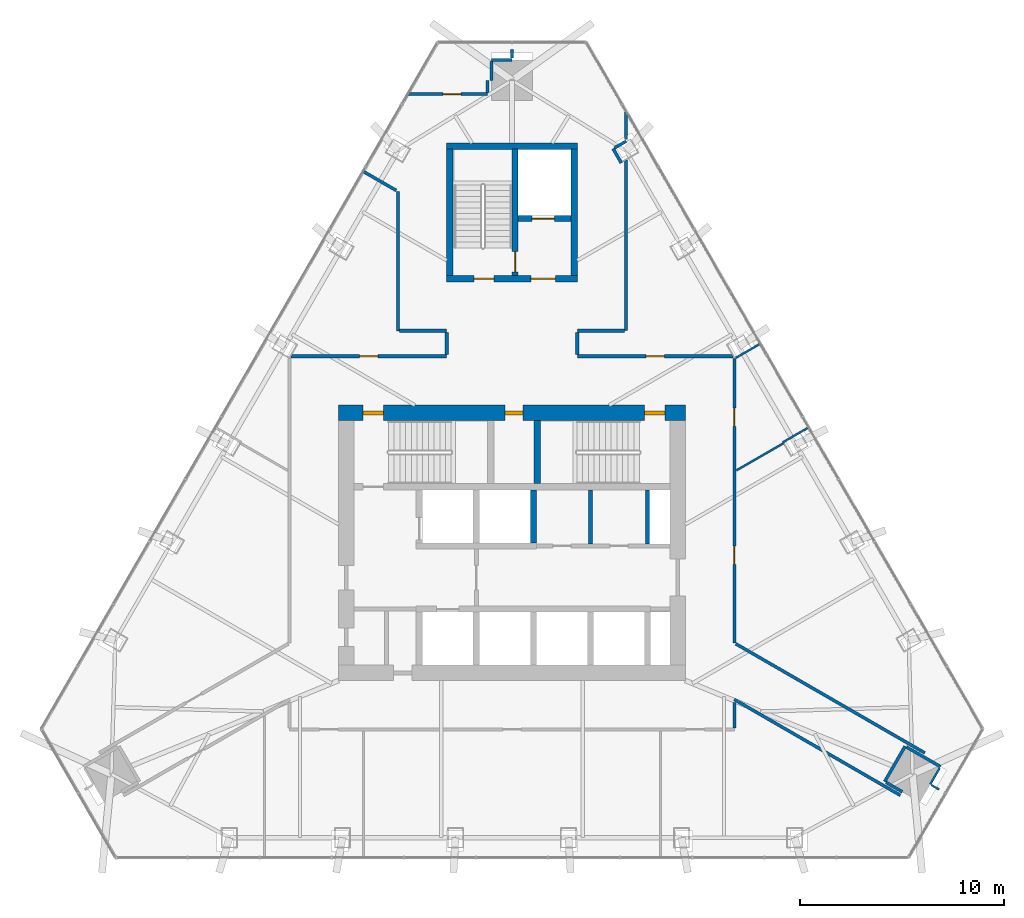
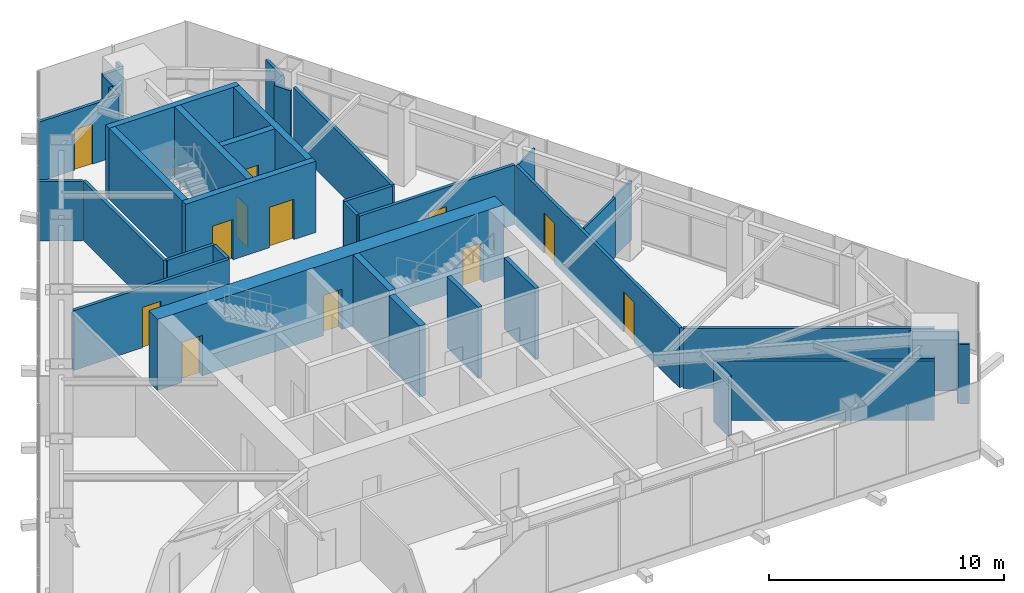
# One storey, part 12 of 14: 40 walls, 12 doors, 12 openings.
"""IFC4 building model written with IfcOpenShell, lengths in metres."""

import ifcopenshell
import ifcopenshell.guid

model = None  # the IFC model being written
_history = None  # IfcOwnerHistory: only IFC2X3 demands one
_inside = {}  # id of a spatial element -> (the spatial element, [elements in it])
_under = {}  # id of a project, library or spatial element -> (it, [spatial elements below it])
_declared = {}  # id of a project -> (the project, [libraries it declares])
_typed = {}  # id of a type object -> (the type object, [elements of that type])
_made_of = {}  # id of a material, layer set ... -> (it, [elements and type objects made of it])


def new_model(schema):
    """Start an empty IFC model of exactly this schema.

    Asked for "IFC4X3", IfcOpenShell would pick the latest addendum, in which some entities
    have other attributes; the version numbers below select the first issue.
    IFC2X3 requires an IfcOwnerHistory on every rooted entity: one is made here for all.
    """
    global model, _history
    if schema == "IFC4X3":
        model = ifcopenshell.file(schema_version=(4, 3, 0, 0))
    else:
        model = ifcopenshell.file(schema=schema)
    _inside.clear()
    _under.clear()
    _declared.clear()
    _typed.clear()
    _made_of.clear()
    _history = None
    if model.schema == "IFC2X3":
        org = make("IfcOrganization", Name="unknown")
        user = make(
            "IfcPersonAndOrganization",
            ThePerson=make("IfcPerson", FamilyName="unknown"),
            TheOrganization=org,
        )
        app = make(
            "IfcApplication",
            ApplicationDeveloper=org,
            Version="unknown",
            ApplicationFullName="unknown",
            ApplicationIdentifier="unknown",
        )
        _history = make(
            "IfcOwnerHistory",
            OwningUser=user,
            OwningApplication=app,
            ChangeAction="ADDED",
            CreationDate=0,
        )
    return model


def make(cls, **values):
    """One entity of the class cls with the attributes given. An attribute that is None is left unset."""
    return model.create_entity(
        cls, **{name: value for name, value in values.items() if value is not None}
    )


def rooted(cls, **values):
    """An entity with a GlobalId (a new one), such as an element, a storey or a relation."""
    return make(cls, GlobalId=ifcopenshell.guid.new(), OwnerHistory=_history, **values)


def si_unit(unit_type, name, prefix=None):
    """IfcSIUnit, for example si_unit("LENGTHUNIT", "METRE", prefix="MILLI")."""
    return make("IfcSIUnit", UnitType=unit_type, Prefix=prefix, Name=name)


def assignment(units):
    """IfcUnitAssignment: the units of a project."""
    return None if units is None else make("IfcUnitAssignment", Units=units)


def point(xyz):
    """IfcCartesianPoint."""
    return None if xyz is None else make("IfcCartesianPoint", Coordinates=xyz)


def direction(xyz):
    """IfcDirection."""
    return None if xyz is None else make("IfcDirection", DirectionRatios=xyz)


def frame(location, z_axis=None, x_axis=None):
    """IfcAxis2Placement3D, a coordinate frame: its origin and axes. An axis left out is left unset."""
    return make(
        "IfcAxis2Placement3D",
        Location=point(location),
        Axis=direction(z_axis),
        RefDirection=direction(x_axis),
    )


def frame_2d(location, x_axis=None):
    """IfcAxis2Placement2D, a coordinate frame in the plane: its origin and x axis."""
    return make(
        "IfcAxis2Placement2D", Location=point(location), RefDirection=direction(x_axis)
    )


def origin():
    """The frame at (0, 0, 0) with its axes left unset."""
    return frame((0.0, 0.0, 0.0))


def place(relative_to, where):
    """IfcLocalPlacement: puts the frame where relative to a parent placement (None: the world)."""
    return make(
        "IfcLocalPlacement", PlacementRelTo=relative_to, RelativePlacement=where
    )


def context(
    kind, dimensions, precision=None, world=None, true_north=None, identifier=None
):
    """IfcGeometricRepresentationContext, for example the 3D "Model" context."""
    return make(
        "IfcGeometricRepresentationContext",
        ContextIdentifier=identifier,
        ContextType=kind,
        CoordinateSpaceDimension=dimensions,
        Precision=precision,
        WorldCoordinateSystem=world,
        TrueNorth=true_north,
    )


def subcontext(parent, identifier, kind, view, scale=None):
    """IfcGeometricRepresentationSubContext, for example "Body" below "Model"."""
    return make(
        "IfcGeometricRepresentationSubContext",
        ContextIdentifier=identifier,
        ContextType=kind,
        ParentContext=parent,
        TargetScale=scale,
        TargetView=view,
    )


def project(units=None, contexts=None):
    """IfcProject with its units and contexts."""
    return rooted(
        "IfcProject",
        Name="project",
        RepresentationContexts=contexts,
        UnitsInContext=assignment(units),
    )


def spatial(cls, under=None, at=None, **own):
    """A site, building, storey or space (cls), placed at a placement, below another one or the project."""
    s = rooted(cls, ObjectPlacement=at, **own)
    if under is not None:
        _under.setdefault(under.id(), (under, []))[1].append(s)
    return s


def profile(cls, at=None, kind="AREA", **sizes):
    """A parametric profile (cls). Its sizes go by their IFC names, for example OverallWidth=200.0."""
    return make(cls, ProfileType=kind, Position=at, **sizes)


def rectangle(**sizes):
    """IfcRectangleProfileDef."""
    return profile("IfcRectangleProfileDef", **sizes)


def extrude(swept, where, along, depth):
    """IfcExtrudedAreaSolid: the profile swept, set in the frame where, extruded along a direction by depth."""
    return make(
        "IfcExtrudedAreaSolid",
        SweptArea=swept,
        Position=where,
        ExtrudedDirection=direction(along),
        Depth=depth,
    )


def shape(context_of_items, identifier, shape_type, items):
    """IfcShapeRepresentation: the items that make up one representation, for example the "Body"."""
    return make(
        "IfcShapeRepresentation",
        ContextOfItems=context_of_items,
        RepresentationIdentifier=identifier,
        RepresentationType=shape_type,
        Items=items,
    )


def material(Name=None, Category=None):
    """IfcMaterial."""
    return make("IfcMaterial", Name=Name, Category=Category)


def layer(
    of_material, thickness, ventilated=None, Name=None, Category=None, Priority=None
):
    """IfcMaterialLayer: one layer of a wall or slab, of a material (None: an air gap)."""
    return make(
        "IfcMaterialLayer",
        Material=of_material,
        LayerThickness=thickness,
        IsVentilated=ventilated,
        Name=Name,
        Category=Category,
        Priority=Priority,
    )


def layer_set(layers, Name=None):
    """IfcMaterialLayerSet."""
    return make("IfcMaterialLayerSet", MaterialLayers=layers, LayerSetName=Name)


def made_of(thing, what):
    """Note that an element or type object is made of a material, layer set ...; save() writes the relation."""
    if what is not None:
        _made_of.setdefault(what.id(), (what, []))[1].append(thing)
    return thing


def type_object(cls, material=None, **own):
    """A type object (cls), such as IfcWallType, which elements share."""
    return made_of(rooted(cls, **own), material)


def element(
    cls,
    number,
    at=None,
    inside=None,
    cuts=None,
    type_object=None,
    material=None,
    context=None,
    identifier="Body",
    shape_type=None,
    held_by="IfcProductDefinitionShape",
    body=None,
    shapes=None,
    **own,
):
    """One element of the class cls, such as IfcWall. Its Tag is "e" and its number.

    at: its placement. inside: the storey or other place that contains it. cuts: it is an
    opening in that element (IfcRelVoidsElement). A single representation is given by context,
    identifier, shape_type and body (its items); several are given by shapes. held_by: the class
    of the entity that holds the representations. save() writes the other relations.
    """
    e = rooted(cls, Tag="e%d" % number, ObjectPlacement=at, **own)
    if body is not None:
        shapes = [shape(context, identifier, shape_type, body)]
    if shapes is not None:
        e.Representation = make(held_by, Representations=shapes)
    if inside is not None:
        _inside.setdefault(inside.id(), (inside, []))[1].append(e)
    if cuts is not None:
        rooted(
            "IfcRelVoidsElement", RelatingBuildingElement=cuts, RelatedOpeningElement=e
        )
    if type_object is not None:
        _typed.setdefault(type_object.id(), (type_object, []))[1].append(e)
    return made_of(e, material)


def fill(opening, filler):
    """IfcRelFillsElement: the door or window that sits in an opening."""
    return rooted(
        "IfcRelFillsElement",
        RelatingOpeningElement=opening,
        RelatedBuildingElement=filler,
    )


def aggregate(whole, parts):
    """IfcRelAggregates: a whole, such as a stair, and the parts it consists of."""
    return rooted("IfcRelAggregates", RelatingObject=whole, RelatedObjects=parts)


def save(model, path):
    """Write the relations noted so far, then the file.

    IfcRelAggregates (storeys below a building ...), IfcRelContainedInSpatialStructure (elements
    in a storey), IfcRelDefinesByType, IfcRelAssociatesMaterial and IfcRelDeclares: one each for
    every whole, place, type object, material and project.
    """
    for whole, parts in _under.values():
        aggregate(whole, parts)
    for where, things in _inside.values():
        rooted(
            "IfcRelContainedInSpatialStructure",
            RelatedElements=things,
            RelatingStructure=where,
        )
    for kind, things in _typed.values():
        rooted("IfcRelDefinesByType", RelatedObjects=things, RelatingType=kind)
    for what, things in _made_of.values():
        rooted("IfcRelAssociatesMaterial", RelatedObjects=things, RelatingMaterial=what)
    for by, libraries in _declared.values():
        rooted("IfcRelDeclares", RelatingContext=by, RelatedDefinitions=libraries)
    model.write(path)


model = new_model("IFC4")

# Units and contexts
model_context = context("Model", 3, precision=1e-05, world=origin(), true_north=direction((0.0, 1.0)))
body_context = subcontext(model_context, "Body", "Model", "MODEL_VIEW")
ifc_project = project(units=[si_unit("LENGTHUNIT", "METRE"), si_unit("AREAUNIT", "SQUARE_METRE"), si_unit("VOLUMEUNIT", "CUBIC_METRE"), si_unit("PLANEANGLEUNIT", "RADIAN"), si_unit("MASSUNIT", "GRAM", prefix="KILO")], contexts=[model_context])

# Site, building, storey
site_placement = place(None, origin())
site = spatial("IfcSite", under=ifc_project, at=site_placement, CompositionType="ELEMENT")
building_placement = place(site_placement, origin())
building = spatial("IfcBuilding", under=site, at=building_placement, Name="Firuza Gate Tower and Library", CompositionType="ELEMENT")
storey_placement = place(building_placement, frame((0.0, 0.0, 331.60009765625)))
storey = spatial("IfcBuildingStorey", under=building, at=storey_placement, Name="L81", CompositionType="ELEMENT", Elevation=331.60009765625)

# Walls
ifc_material_1 = material(Name="Plasterboard on steel studs", Category="steel")
ifc_layer_1 = layer(ifc_material_1, 0.199951171875)
ifc_layer_set_1 = layer_set([ifc_layer_1], Name="Core partition 200 EI 120")
wall_type_1 = type_object("IfcWallType", Name="Core partition 200 EI 120", PredefinedType="PARTITIONING", material=ifc_layer_set_1)
for number, where, z_axis, x_axis, name in (
    (1, (78.85009765625, 74.949951171875, 0.0), (0.0, 0.0, 1.0), (0.0, 1.0, 0.0), "Core partition L81 6"),
    (2, (81.64990234375, 74.949951171875, 0.0), (0.0, 0.0, 1.0), (0.0, 1.0, 0.0), "Core partition L81 7"),
):
    element("IfcWall", number, at=place(storey_placement, frame(where, z_axis=z_axis, x_axis=x_axis)), inside=storey, type_object=wall_type_1, Name=name, PredefinedType="PARTITIONING", context=body_context, shape_type="SweptSolid", body=[
        extrude(rectangle(XDim=2.650146484375, YDim=0.199951171875, at=frame_2d((1.3251953125, 0.0))), origin(), (0.0, 0.0, 1.0), 3.699951171875),
    ])
ifc_material_2 = material(Name="Concrete C60/75", Category="concrete")
ifc_layer_2 = layer(ifc_material_2, 0.300048828125)
ifc_layer_set_2 = layer_set([ifc_layer_2], Name="Core wall 300 C60/75")
wall_type_2 = type_object("IfcWallType", Name="Core wall 300 C60/75", PredefinedType="SHEAR", material=ifc_layer_set_2)
wall_1_placement = place(storey_placement, frame((76.050048828125, 75.0, 0.0), z_axis=(0.0, 0.0, 1.0), x_axis=(0.0, 1.0, 0.0)))
element("IfcWall", 3, at=wall_1_placement, inside=storey, type_object=wall_type_2, Name="Core wall L81 12", PredefinedType="SHEAR", context=body_context, shape_type="SweptSolid", body=[
    extrude(rectangle(XDim=2.60009765625, YDim=0.300048828125, at=frame_2d((1.300048828125, 0.0))), origin(), (0.0, 0.0, 1.0), 3.699951171875),
])
wall_2_placement = place(storey_placement, frame((76.239990234375, 77.89990234375, 0.0), z_axis=(0.0, 0.0, 1.0), x_axis=(0.0, 1.0, 0.0)))
element("IfcWall", 4, at=wall_2_placement, inside=storey, type_object=wall_type_2, Name="Core wall L81 17", PredefinedType="SHEAR", context=body_context, shape_type="SweptSolid", body=[
    extrude(rectangle(XDim=3.10009765625, YDim=0.300048828125, at=frame_2d((1.550048828125, 0.0))), origin(), (0.0, 0.0, 1.0), 3.699951171875),
])

# Wall, openings, doors
wall_3_placement = place(storey_placement, frame((71.800048828125, 87.949951171875, 0.0), z_axis=(0.0, 0.0, 1.0), x_axis=(1.0, 0.0, 0.0)))
wall_3 = element("IfcWall", 5, at=wall_3_placement, inside=storey, type_object=wall_type_2, Name="Core wall L81 18", PredefinedType="SHEAR", context=body_context, shape_type="SweptSolid", body=[
    extrude(rectangle(XDim=6.39990234375, YDim=0.300048828125, at=frame_2d((3.199951171875, 0.0))), origin(), (0.0, 0.0, 1.0), 3.699951171875),
])
opening_1_placement = place(wall_3_placement, frame((1.324951171875, 0.0, 0.0)))
opening_1 = element("IfcOpeningElement", 6, at=opening_1_placement, cuts=wall_3, Name="Opening L81-K07", PredefinedType="OPENING", context=body_context, shape_type="SweptSolid", body=[
    extrude(rectangle(XDim=1.0, YDim=2.10009765625, at=frame_2d((0.5, 1.050048828125))), frame((0.0, 0.16015625, 0.0), z_axis=(0.0, -1.0, 0.0), x_axis=(1.0, 0.0, 0.0)), (0.0, 0.0, 1.0), 0.320068359375),
])
opening_2_placement = place(wall_3_placement, frame((4.125, 0.0, 0.0)))
opening_2 = element("IfcOpeningElement", 7, at=opening_2_placement, cuts=wall_3, Name="Opening L81-K09", PredefinedType="OPENING", context=body_context, shape_type="SweptSolid", body=[
    extrude(rectangle(XDim=1.199951171875, YDim=2.10009765625, at=frame_2d((0.60009765625, 1.050048828125))), frame((0.0, 0.16015625, 0.0), z_axis=(0.0, -1.0, 0.0), x_axis=(1.0, 0.0, 0.0)), (0.0, 0.0, 1.0), 0.320068359375),
])
ifc_material_3 = material(Name="Steel", Category="steel")
door_type_1 = type_object("IfcDoorType", Name="Fire door 1000x2100 FD90", OperationType="NOTDEFINED", PredefinedType="DOOR", material=ifc_material_3)
door_1_placement = place(opening_1_placement, origin())
door_1 = element("IfcDoor", 8, at=door_1_placement, inside=storey, type_object=door_type_1, Name="Door L81-K07", OperationType="SINGLE_SWING_RIGHT", OverallHeight=2.10009765625, OverallWidth=1.0, PredefinedType="DOOR", context=body_context, shape_type="SweptSolid", body=[
    extrude(rectangle(XDim=1.0, YDim=2.10009765625, at=frame_2d((0.5, 1.050048828125))), frame((0.0, 0.02490234375, 0.0), z_axis=(0.0, -1.0, 0.0), x_axis=(1.0, 0.0, 0.0)), (0.0, 0.0, 1.0), 0.050048828125),
])
fill(opening_1, door_1)
ifc_material_4 = material(Name="Steel", Category="steel")
door_type_2 = type_object("IfcDoorType", Name="Fire door 1200x2100 FD30S", OperationType="NOTDEFINED", PredefinedType="DOOR", material=ifc_material_4)
door_2_placement = place(opening_2_placement, origin())
door_2 = element("IfcDoor", 9, at=door_2_placement, inside=storey, type_object=door_type_2, Name="Door L81-K09", OperationType="SINGLE_SWING_RIGHT", OverallHeight=2.10009765625, OverallWidth=1.199951171875, PredefinedType="DOOR", context=body_context, shape_type="SweptSolid", body=[
    extrude(rectangle(XDim=1.199951171875, YDim=2.10009765625, at=frame_2d((0.60009765625, 1.050048828125))), frame((0.0, 0.02490234375, 0.0), z_axis=(0.0, -1.0, 0.0), x_axis=(1.0, 0.0, 0.0)), (0.0, 0.0, 1.0), 0.050048828125),
])
fill(opening_2, door_2)

# Walls
wall_4_placement = place(storey_placement, frame((71.800048828125, 94.449951171875, 0.0), z_axis=(0.0, 0.0, 1.0), x_axis=(1.0, 0.0, 0.0)))
element("IfcWall", 10, at=wall_4_placement, inside=storey, type_object=wall_type_2, Name="Core wall L81 19", PredefinedType="SHEAR", context=body_context, shape_type="SweptSolid", body=[
    extrude(rectangle(XDim=6.39990234375, YDim=0.300048828125, at=frame_2d((3.199951171875, 0.0))), origin(), (0.0, 0.0, 1.0), 3.699951171875),
])
for number, where, z_axis, x_axis, name in (
    (11, (71.949951171875, 88.10009765625, 0.0), (0.0, 0.0, 1.0), (0.0, 1.0, 0.0), "Core wall L81 20"),
    (12, (78.050048828125, 88.10009765625, 0.0), (0.0, 0.0, 1.0), (0.0, 1.0, 0.0), "Core wall L81 21"),
):
    element("IfcWall", number, at=place(storey_placement, frame(where, z_axis=z_axis, x_axis=x_axis)), inside=storey, type_object=wall_type_2, Name=name, PredefinedType="SHEAR", context=body_context, shape_type="SweptSolid", body=[
        extrude(rectangle(XDim=6.199951171875, YDim=0.300048828125, at=frame_2d((3.10009765625, 0.0))), origin(), (0.0, 0.0, 1.0), 3.699951171875),
    ])

# Wall, opening, door
wall_5_placement = place(storey_placement, frame((75.300048828125, 90.89990234375, 0.0), z_axis=(0.0, 0.0, 1.0), x_axis=(1.0, 0.0, 0.0)))
wall_5 = element("IfcWall", 13, at=wall_5_placement, inside=storey, type_object=wall_type_2, Name="Core wall L81 22", PredefinedType="SHEAR", context=body_context, shape_type="SweptSolid", body=[
    extrude(rectangle(XDim=2.599853515625, YDim=0.300048828125, at=frame_2d((1.2998046875, 0.0))), origin(), (0.0, 0.0, 1.0), 3.699951171875),
])
opening_3_placement = place(wall_5_placement, frame((0.675048828125, 0.0, 0.0)))
opening_3 = element("IfcOpeningElement", 14, at=opening_3_placement, cuts=wall_5, Name="Opening LD-SV1-L81", PredefinedType="OPENING", context=body_context, shape_type="SweptSolid", body=[
    extrude(rectangle(XDim=1.10009765625, YDim=2.10009765625, at=frame_2d((0.550048828125, 1.050048828125))), frame((0.0, 0.16015625, 0.0), z_axis=(0.0, -1.0, 0.0), x_axis=(1.0, 0.0, 0.0)), (0.0, 0.0, 1.0), 0.320068359375),
])
ifc_material_5 = material(Name="Stainless steel", Category="steel")
door_type_3 = type_object("IfcDoorType", Name="Lift landing door 1100x2100", OperationType="DOUBLE_DOOR_SLIDING", PredefinedType="DOOR", material=ifc_material_5)
door_3_placement = place(opening_3_placement, origin())
door_3 = element("IfcDoor", 15, at=door_3_placement, inside=storey, type_object=door_type_3, Name="Landing door SV1 L81", OperationType="DOUBLE_DOOR_SLIDING", OverallHeight=2.10009765625, OverallWidth=1.10009765625, PredefinedType="DOOR", context=body_context, shape_type="SweptSolid", body=[
    extrude(rectangle(XDim=1.10009765625, YDim=2.10009765625, at=frame_2d((0.550048828125, 1.050048828125))), frame((0.0, 0.02490234375, 0.0), z_axis=(0.0, -1.0, 0.0), x_axis=(1.0, 0.0, 0.0)), (0.0, 0.0, 1.0), 0.050048828125),
])
fill(opening_3, door_3)

wall_6_placement = place(storey_placement, frame((75.14990234375, 88.10009765625, 0.0), z_axis=(0.0, 0.0, 1.0), x_axis=(0.0, 1.0, 0.0)))
wall_6 = element("IfcWall", 16, at=wall_6_placement, inside=storey, type_object=wall_type_2, Name="Core wall L81 23", PredefinedType="SHEAR", context=body_context, shape_type="SweptSolid", body=[
    extrude(rectangle(XDim=6.199951171875, YDim=0.300048828125, at=frame_2d((3.10009765625, 0.0))), origin(), (0.0, 0.0, 1.0), 3.699951171875),
])
opening_4_placement = place(wall_6_placement, frame((0.18505859375, 0.0, 0.0)))
opening_4 = element("IfcOpeningElement", 17, at=opening_4_placement, cuts=wall_6, Name="Opening L81-K08", PredefinedType="OPENING", context=body_context, shape_type="SweptSolid", body=[
    extrude(rectangle(XDim=1.0, YDim=2.10009765625, at=frame_2d((0.5, 1.050048828125))), frame((0.0, 0.16015625, 0.0), z_axis=(0.0, -1.0, 0.0), x_axis=(1.0, 0.0, 0.0)), (0.0, 0.0, 1.0), 0.320068359375),
])
door_4_placement = place(opening_4_placement, origin())
door_4 = element("IfcDoor", 18, at=door_4_placement, inside=storey, type_object=door_type_1, Name="Door L81-K08", OperationType="SINGLE_SWING_LEFT", OverallHeight=2.10009765625, OverallWidth=1.0, PredefinedType="DOOR", context=body_context, shape_type="SweptSolid", body=[
    extrude(rectangle(XDim=1.0, YDim=2.10009765625, at=frame_2d((0.5, 1.050048828125))), frame((0.0, 0.02490234375, 0.0), z_axis=(0.0, -1.0, 0.0), x_axis=(1.0, 0.0, 0.0)), (0.0, 0.0, 1.0), 0.050048828125),
])
fill(opening_4, door_4)

# Wall, openings, doors
ifc_material_6 = material(Name="Concrete C60/75", Category="concrete")
ifc_layer_3 = layer(ifc_material_6, 0.75)
ifc_layer_set_3 = layer_set([ifc_layer_3], Name="Core wall 750 C60/75")
wall_type_3 = type_object("IfcWallType", Name="Core wall 750 C60/75", PredefinedType="SHEAR", material=ifc_layer_set_3)
wall_7_placement = place(storey_placement, frame((66.5, 81.375, 0.0), z_axis=(0.0, 0.0, 1.0), x_axis=(1.0, 0.0, 0.0)))
wall_7 = element("IfcWall", 19, at=wall_7_placement, inside=storey, type_object=wall_type_3, Name="Core wall L81 2", PredefinedType="SHEAR", context=body_context, shape_type="SweptSolid", body=[
    extrude(rectangle(XDim=17.0, YDim=0.75, at=frame_2d((8.5, 0.0))), origin(), (0.0, 0.0, 1.0), 3.699951171875),
])
opening_5_placement = place(wall_7_placement, frame((1.195068359375, 0.0, 0.0)))
opening_5 = element("IfcOpeningElement", 20, at=opening_5_placement, cuts=wall_7, Name="Opening L81-K05", PredefinedType="OPENING", context=body_context, shape_type="SweptSolid", body=[
    extrude(rectangle(XDim=1.0, YDim=2.10009765625, at=frame_2d((0.5, 1.050048828125))), frame((0.0, 0.385009765625, 0.0), z_axis=(0.0, -1.0, 0.0), x_axis=(1.0, 0.0, 0.0)), (0.0, 0.0, 1.0), 0.77001953125),
])
opening_6_placement = place(wall_7_placement, frame((15.0048828125, 0.0, 0.0)))
opening_6 = element("IfcOpeningElement", 21, at=opening_6_placement, cuts=wall_7, Name="Opening L81-K06", PredefinedType="OPENING", context=body_context, shape_type="SweptSolid", body=[
    extrude(rectangle(XDim=1.0, YDim=2.10009765625, at=frame_2d((0.5, 1.050048828125))), frame((0.0, 0.385009765625, 0.0), z_axis=(0.0, -1.0, 0.0), x_axis=(1.0, 0.0, 0.0)), (0.0, 0.0, 1.0), 0.77001953125),
])
opening_7_placement = place(wall_7_placement, frame((8.14990234375, 0.0, 0.0)))
opening_7 = element("IfcOpeningElement", 22, at=opening_7_placement, cuts=wall_7, Name="Opening L81-K17", PredefinedType="OPENING", context=body_context, shape_type="SweptSolid", body=[
    extrude(rectangle(XDim=0.89990234375, YDim=2.10009765625, at=frame_2d((0.449951171875, 1.050048828125))), frame((0.0, 0.385009765625, 0.0), z_axis=(0.0, -1.0, 0.0), x_axis=(1.0, 0.0, 0.0)), (0.0, 0.0, 1.0), 0.77001953125),
])
door_5_placement = place(opening_5_placement, origin())
door_5 = element("IfcDoor", 23, at=door_5_placement, inside=storey, type_object=door_type_1, Name="Door L81-K05", OperationType="SINGLE_SWING_RIGHT", OverallHeight=2.10009765625, OverallWidth=1.0, PredefinedType="DOOR", context=body_context, shape_type="SweptSolid", body=[
    extrude(rectangle(XDim=1.0, YDim=2.10009765625, at=frame_2d((0.5, 1.050048828125))), frame((0.0, 0.094970703125, 0.0), z_axis=(0.0, -1.0, 0.0), x_axis=(1.0, 0.0, 0.0)), (0.0, 0.0, 1.0), 0.18994140625),
])
fill(opening_5, door_5)
door_6_placement = place(opening_6_placement, origin())
door_6 = element("IfcDoor", 24, at=door_6_placement, inside=storey, type_object=door_type_1, Name="Door L81-K06", OperationType="SINGLE_SWING_LEFT", OverallHeight=2.10009765625, OverallWidth=1.0, PredefinedType="DOOR", context=body_context, shape_type="SweptSolid", body=[
    extrude(rectangle(XDim=1.0, YDim=2.10009765625, at=frame_2d((0.5, 1.050048828125))), frame((0.0, 0.094970703125, 0.0), z_axis=(0.0, -1.0, 0.0), x_axis=(1.0, 0.0, 0.0)), (0.0, 0.0, 1.0), 0.18994140625),
])
fill(opening_6, door_6)
ifc_material_7 = material(Name="Steel", Category="steel")
door_type_4 = type_object("IfcDoorType", Name="Fire door 900x2100 FD30S", OperationType="NOTDEFINED", PredefinedType="DOOR", material=ifc_material_7)
door_7_placement = place(opening_7_placement, origin())
door_7 = element("IfcDoor", 25, at=door_7_placement, inside=storey, type_object=door_type_4, Name="Door L81-K17", OperationType="SINGLE_SWING_RIGHT", OverallHeight=2.10009765625, OverallWidth=0.89990234375, PredefinedType="DOOR", context=body_context, shape_type="SweptSolid", body=[
    extrude(rectangle(XDim=0.89990234375, YDim=2.10009765625, at=frame_2d((0.449951171875, 1.050048828125))), frame((0.0, 0.094970703125, 0.0), z_axis=(0.0, -1.0, 0.0), x_axis=(1.0, 0.0, 0.0)), (0.0, 0.0, 1.0), 0.18994140625),
])
fill(opening_7, door_7)

# Wall, opening, door
ifc_material_8 = material(Name="Gypsum board partition")
ifc_layer_4 = layer(ifc_material_8, 0.14990234375)
ifc_layer_set_4 = layer_set([ifc_layer_4], Name="Corridor wall 150 double board on steel studs")
wall_type_4 = type_object("IfcWallType", Name="Corridor wall 150 double board on steel studs", PredefinedType="PARTITIONING", material=ifc_layer_set_4)
wall_8_placement = place(storey_placement, frame((64.166259765625, 84.14990234375, 0.0), z_axis=(0.0, 0.0, 1.0), x_axis=(1.0, 0.0, 0.0)))
wall_8 = element("IfcWall", 26, at=wall_8_placement, inside=storey, type_object=wall_type_4, Name="f:L81:w001", PredefinedType="PARTITIONING", context=body_context, shape_type="SweptSolid", body=[
    extrude(rectangle(XDim=7.6337890625, YDim=0.14990234375, at=frame_2d((3.81689453125, 0.0))), origin(), (0.0, 0.0, 1.0), 3.099853515625),
])
opening_8_placement = place(wall_8_placement, frame((3.366943359375, 0.0, 0.0)))
opening_8 = element("IfcOpeningElement", 27, at=opening_8_placement, cuts=wall_8, Name="Opening L81-04", PredefinedType="OPENING", context=body_context, shape_type="SweptSolid", body=[
    extrude(rectangle(XDim=0.89990234375, YDim=2.10009765625, at=frame_2d((0.449951171875, 1.050048828125))), frame((0.0, 0.0849609375, 0.0), z_axis=(0.0, -1.0, 0.0), x_axis=(1.0, 0.0, 0.0)), (0.0, 0.0, 1.0), 0.169921875),
])
ifc_material_9 = material(Name="Steel door and timber leaf", Category="steel")
door_type_5 = type_object("IfcDoorType", Name="Fire door 900 x 2100 steel frame, timber leaf", OperationType="NOTDEFINED", PredefinedType="DOOR", material=ifc_material_9)
door_8_placement = place(opening_8_placement, origin())
door_8 = element("IfcDoor", 28, at=door_8_placement, inside=storey, type_object=door_type_5, Name="f:L81:d004", OperationType="SINGLE_SWING_LEFT", OverallHeight=2.10009765625, OverallWidth=0.89990234375, PredefinedType="DOOR", context=body_context, shape_type="SweptSolid", body=[
    extrude(rectangle(XDim=0.89990234375, YDim=2.10009765625, at=frame_2d((0.449951171875, 1.050048828125))), frame((0.0, 0.02490234375, 0.0), z_axis=(0.0, -1.0, 0.0), x_axis=(1.0, 0.0, 0.0)), (0.0, 0.0, 1.0), 0.050048828125),
])
fill(opening_8, door_8)

wall_9_placement = place(storey_placement, frame((78.199951171875, 84.14990234375, 0.0), z_axis=(0.0, 0.0, 1.0), x_axis=(1.0, 0.0, 0.0)))
wall_9 = element("IfcWall", 29, at=wall_9_placement, inside=storey, type_object=wall_type_4, Name="f:L81:w002", PredefinedType="PARTITIONING", context=body_context, shape_type="SweptSolid", body=[
    extrude(rectangle(XDim=7.6337890625, YDim=0.14990234375, at=frame_2d((3.81689453125, 0.0))), origin(), (0.0, 0.0, 1.0), 3.099853515625),
])
opening_9_placement = place(wall_9_placement, frame((3.366943359375, 0.0, 0.0)))
opening_9 = element("IfcOpeningElement", 30, at=opening_9_placement, cuts=wall_9, Name="Opening L81-05", PredefinedType="OPENING", context=body_context, shape_type="SweptSolid", body=[
    extrude(rectangle(XDim=0.89990234375, YDim=2.10009765625, at=frame_2d((0.449951171875, 1.050048828125))), frame((0.0, 0.0849609375, 0.0), z_axis=(0.0, -1.0, 0.0), x_axis=(1.0, 0.0, 0.0)), (0.0, 0.0, 1.0), 0.169921875),
])
door_9_placement = place(opening_9_placement, origin())
door_9 = element("IfcDoor", 31, at=door_9_placement, inside=storey, type_object=door_type_5, Name="f:L81:d005", OperationType="SINGLE_SWING_LEFT", OverallHeight=2.10009765625, OverallWidth=0.89990234375, PredefinedType="DOOR", context=body_context, shape_type="SweptSolid", body=[
    extrude(rectangle(XDim=0.89990234375, YDim=2.10009765625, at=frame_2d((0.449951171875, 1.050048828125))), frame((0.0, 0.02490234375, 0.0), z_axis=(0.0, -1.0, 0.0), x_axis=(1.0, 0.0, 0.0)), (0.0, 0.0, 1.0), 0.050048828125),
])
fill(opening_9, door_9)

# Walls
for number, where, z_axis, x_axis, name in (
    (32, (69.4755859375, 85.39990234375, 0.0), (0.0, 0.0, 1.0), (1.0, 0.0, 0.0), "f:L81:w003"),
    (33, (78.199951171875, 85.39990234375, 0.0), (0.0, 0.0, 1.0), (1.0, 0.0, 0.0), "f:L81:w004"),
):
    element("IfcWall", number, at=place(storey_placement, frame(where, z_axis=z_axis, x_axis=x_axis)), inside=storey, type_object=wall_type_4, Name=name, PredefinedType="PARTITIONING", context=body_context, shape_type="SweptSolid", body=[
        extrude(rectangle(XDim=2.324462890625, YDim=0.14990234375, at=frame_2d((1.162109375, 0.0))), origin(), (0.0, 0.0, 1.0), 3.099853515625),
    ])

# Wall, opening, door
wall_10_placement = place(storey_placement, frame((69.899169921875, 97.0, 0.0), z_axis=(0.0, 0.0, 1.0), x_axis=(1.0, 0.0, 0.0)))
wall_10 = element("IfcWall", 34, at=wall_10_placement, inside=storey, type_object=wall_type_4, Name="f:L81:w005", PredefinedType="PARTITIONING", context=body_context, shape_type="SweptSolid", body=[
    extrude(rectangle(XDim=3.90087890625, YDim=0.14990234375, at=frame_2d((1.950439453125, 0.0))), origin(), (0.0, 0.0, 1.0), 3.099853515625),
])
opening_10_placement = place(wall_10_placement, frame((1.708251953125, 0.0, 0.0)))
opening_10 = element("IfcOpeningElement", 35, at=opening_10_placement, cuts=wall_10, Name="Opening L81-06", PredefinedType="OPENING", context=body_context, shape_type="SweptSolid", body=[
    extrude(rectangle(XDim=0.89990234375, YDim=2.10009765625, at=frame_2d((0.449951171875, 1.050048828125))), frame((0.0, 0.0849609375, 0.0), z_axis=(0.0, -1.0, 0.0), x_axis=(1.0, 0.0, 0.0)), (0.0, 0.0, 1.0), 0.169921875),
])
door_10_placement = place(opening_10_placement, origin())
door_10 = element("IfcDoor", 36, at=door_10_placement, inside=storey, type_object=door_type_5, Name="f:L81:d006", OperationType="SINGLE_SWING_RIGHT", OverallHeight=2.10009765625, OverallWidth=0.89990234375, PredefinedType="DOOR", context=body_context, shape_type="SweptSolid", body=[
    extrude(rectangle(XDim=0.89990234375, YDim=2.10009765625, at=frame_2d((0.449951171875, 1.050048828125))), frame((0.0, 0.02490234375, 0.0), z_axis=(0.0, -1.0, 0.0), x_axis=(1.0, 0.0, 0.0)), (0.0, 0.0, 1.0), 0.050048828125),
])
fill(opening_10, door_10)

# Walls
wall_11_placement = place(storey_placement, frame((74.0, 98.679931640625, 0.0), z_axis=(0.0, 0.0, 1.0), x_axis=(1.0, 0.0, 0.0)))
element("IfcWall", 37, at=wall_11_placement, inside=storey, type_object=wall_type_4, Name="f:L81:w006", PredefinedType="PARTITIONING", context=body_context, shape_type="SweptSolid", body=[
    extrude(rectangle(XDim=1.0, YDim=0.14990234375, at=frame_2d((0.5, 0.0))), origin(), (0.0, 0.0, 1.0), 3.099853515625),
])
wall_12_placement = place(storey_placement, frame((80.0244140625, 94.363525390625, 0.0), z_axis=(0.0, 0.0, 1.0), x_axis=(0.865995903571, 0.500051092388, 0.0)))
element("IfcWall", 38, at=wall_12_placement, inside=storey, type_object=wall_type_4, Name="f:L81:w015", PredefinedType="PARTITIONING", context=body_context, shape_type="SweptSolid", body=[
    extrude(rectangle(XDim=0.66455078125, YDim=0.14990234375, at=frame_2d((0.332275390625, 0.0))), origin(), (0.0, 0.0, 1.0), 3.099853515625),
])
wall_13_placement = place(storey_placement, frame((93.27587890625, 63.29443359375, 0.0), z_axis=(0.0, 0.0, 1.0), x_axis=(0.499909240568, 0.866077797426, 0.0)))
element("IfcWall", 39, at=wall_13_placement, inside=storey, type_object=wall_type_4, Name="f:L81:w017", PredefinedType="PARTITIONING", context=body_context, shape_type="SweptSolid", body=[
    extrude(rectangle(XDim=1.998779296875, YDim=0.14990234375, at=frame_2d((0.99951171875, 0.0))), origin(), (0.0, 0.0, 1.0), 3.096923828125),
])
wall_14_placement = place(storey_placement, frame((85.89990234375, 65.925537109375, 0.0), z_axis=(0.0, 0.0, 1.0), x_axis=(0.0, 1.0, 0.0)))
element("IfcWall", 40, at=wall_14_placement, inside=storey, type_object=wall_type_4, Name="f:L81:w018", PredefinedType="PARTITIONING", context=body_context, shape_type="SweptSolid", body=[
    extrude(rectangle(XDim=1.259033203125, YDim=0.14990234375, at=frame_2d((0.62939453125, 0.0))), origin(), (0.0, 0.0, 1.0), 3.096923828125),
])

# Wall, openings, doors
wall_15_placement = place(storey_placement, frame((85.89990234375, 84.03564453125, 0.0), z_axis=(0.0, 0.0, 1.0), x_axis=(0.0, -1.0, 0.0)))
wall_15 = element("IfcWall", 41, at=wall_15_placement, inside=storey, type_object=wall_type_4, Name="f:L81:w019", PredefinedType="PARTITIONING", context=body_context, shape_type="SweptSolid", body=[
    extrude(rectangle(XDim=13.943115234375, YDim=0.14990234375, at=frame_2d((6.9716796875, 0.0))), origin(), (0.0, 0.0, 1.0), 3.099853515625),
])
opening_11_placement = place(wall_15_placement, frame((2.4228515625, 0.0, 0.0)))
opening_11 = element("IfcOpeningElement", 42, at=opening_11_placement, cuts=wall_15, Name="Opening L81-09", PredefinedType="OPENING", context=body_context, shape_type="SweptSolid", body=[
    extrude(rectangle(XDim=0.89990234375, YDim=2.10009765625, at=frame_2d((0.449951171875, 1.050048828125))), frame((0.0, 0.0849609375, 0.0), z_axis=(0.0, -1.0, 0.0), x_axis=(1.0, 0.0, 0.0)), (0.0, 0.0, 1.0), 0.169921875),
])
opening_12_placement = place(wall_15_placement, frame((9.191162109375, 0.0, 0.0)))
opening_12 = element("IfcOpeningElement", 43, at=opening_12_placement, cuts=wall_15, Name="Opening L81-10", PredefinedType="OPENING", context=body_context, shape_type="SweptSolid", body=[
    extrude(rectangle(XDim=0.89990234375, YDim=2.10009765625, at=frame_2d((0.449951171875, 1.050048828125))), frame((0.0, 0.0849609375, 0.0), z_axis=(0.0, -1.0, 0.0), x_axis=(1.0, 0.0, 0.0)), (0.0, 0.0, 1.0), 0.169921875),
])
door_11_placement = place(opening_11_placement, origin())
door_11 = element("IfcDoor", 44, at=door_11_placement, inside=storey, type_object=door_type_5, Name="f:L81:d009", OperationType="SINGLE_SWING_LEFT", OverallHeight=2.10009765625, OverallWidth=0.89990234375, PredefinedType="DOOR", context=body_context, shape_type="SweptSolid", body=[
    extrude(rectangle(XDim=0.89990234375, YDim=2.10009765625, at=frame_2d((0.449951171875, 1.050048828125))), frame((0.0, 0.02490234375, 0.0), z_axis=(0.0, -1.0, 0.0), x_axis=(1.0, 0.0, 0.0)), (0.0, 0.0, 1.0), 0.050048828125),
])
fill(opening_11, door_11)
door_12_placement = place(opening_12_placement, origin())
door_12 = element("IfcDoor", 45, at=door_12_placement, inside=storey, type_object=door_type_5, Name="f:L81:d010", OperationType="SINGLE_SWING_RIGHT", OverallHeight=2.10009765625, OverallWidth=0.89990234375, PredefinedType="DOOR", context=body_context, shape_type="SweptSolid", body=[
    extrude(rectangle(XDim=0.89990234375, YDim=2.10009765625, at=frame_2d((0.449951171875, 1.050048828125))), frame((0.0, 0.02490234375, 0.0), z_axis=(0.0, -1.0, 0.0), x_axis=(1.0, 0.0, 0.0)), (0.0, 0.0, 1.0), 0.050048828125),
])
fill(opening_12, door_12)

# Walls
wall_16_placement = place(storey_placement, frame((80.60009765625, 85.400634765625, 0.0), z_axis=(0.0, 0.0, 1.0), x_axis=(0.0, 1.0, 0.0)))
element("IfcWall", 46, at=wall_16_placement, inside=storey, type_object=wall_type_4, Name="f:L81:w021", PredefinedType="PARTITIONING", context=body_context, shape_type="SweptSolid", body=[
    extrude(rectangle(XDim=8.37060546875, YDim=0.14990234375, at=frame_2d((4.185302734375, 0.0))), origin(), (0.0, 0.0, 1.0), 3.099853515625),
])
wall_17_placement = place(storey_placement, frame((80.60009765625, 94.78271484375, 0.0), z_axis=(0.0, 0.0, 1.0), x_axis=(0.0, 1.0, 0.0)))
element("IfcWall", 47, at=wall_17_placement, inside=storey, type_object=wall_type_4, Name="f:L81:w022", PredefinedType="PARTITIONING", context=body_context, shape_type="SweptSolid", body=[
    extrude(rectangle(XDim=1.352783203125, YDim=0.14990234375, at=frame_2d((0.67626953125, 0.0))), origin(), (0.0, 0.0, 1.0), 3.099853515625),
])
wall_18_placement = place(storey_placement, frame((78.199951171875, 84.22509765625, 0.0), z_axis=(0.0, 0.0, 1.0), x_axis=(0.0, 1.0, 0.0)))
element("IfcWall", 48, at=wall_18_placement, inside=storey, type_object=wall_type_4, Name="f:L81:w023", PredefinedType="PARTITIONING", context=body_context, shape_type="SweptSolid", body=[
    extrude(rectangle(XDim=1.099853515625, YDim=0.14990234375, at=frame_2d((0.5498046875, 0.0))), origin(), (0.0, 0.0, 1.0), 3.099853515625),
])
wall_19_placement = place(storey_placement, frame((75.0, 98.7646484375, 0.0), z_axis=(0.0, 0.0, 1.0), x_axis=(0.0, 1.0, 0.0)))
element("IfcWall", 49, at=wall_19_placement, inside=storey, type_object=wall_type_4, Name="f:L81:w024", PredefinedType="PARTITIONING", context=body_context, shape_type="SweptSolid", body=[
    extrude(rectangle(XDim=0.4150390625, YDim=0.14990234375, at=frame_2d((0.20751953125, 0.0))), origin(), (0.0, 0.0, 1.0), 3.099853515625),
])
wall_20_placement = place(storey_placement, frame((74.0, 97.6796875, 0.0), z_axis=(0.0, 0.0, 1.0), x_axis=(0.0, 1.0, 0.0)))
element("IfcWall", 50, at=wall_20_placement, inside=storey, type_object=wall_type_4, Name="f:L81:w025", PredefinedType="PARTITIONING", context=body_context, shape_type="SweptSolid", body=[
    extrude(rectangle(XDim=0.925048828125, YDim=0.14990234375, at=frame_2d((0.46240234375, 0.0))), origin(), (0.0, 0.0, 1.0), 3.099853515625),
])
wall_21_placement = place(storey_placement, frame((73.800048828125, 97.074951171875, 0.0), z_axis=(0.0, 0.0, 1.0), x_axis=(0.0, 1.0, 0.0)))
element("IfcWall", 51, at=wall_21_placement, inside=storey, type_object=wall_type_4, Name="f:L81:w026", PredefinedType="PARTITIONING", context=body_context, shape_type="SweptSolid", body=[
    extrude(rectangle(XDim=0.604736328125, YDim=0.14990234375, at=frame_2d((0.30224609375, 0.0))), origin(), (0.0, 0.0, 1.0), 3.099853515625),
])
wall_22_placement = place(storey_placement, frame((71.800048828125, 84.22509765625, 0.0), z_axis=(0.0, 0.0, 1.0), x_axis=(0.0, 1.0, 0.0)))
element("IfcWall", 52, at=wall_22_placement, inside=storey, type_object=wall_type_4, Name="f:L81:w027", PredefinedType="PARTITIONING", context=body_context, shape_type="SweptSolid", body=[
    extrude(rectangle(XDim=1.099853515625, YDim=0.14990234375, at=frame_2d((0.5498046875, 0.0))), origin(), (0.0, 0.0, 1.0), 3.099853515625),
])
wall_23_placement = place(storey_placement, frame((69.39990234375, 85.400390625, 0.0), z_axis=(0.0, 0.0, 1.0), x_axis=(0.0, 1.0, 0.0)))
element("IfcWall", 53, at=wall_23_placement, inside=storey, type_object=wall_type_4, Name="f:L81:w028", PredefinedType="PARTITIONING", context=body_context, shape_type="SweptSolid", body=[
    extrude(rectangle(XDim=6.83349609375, YDim=0.14990234375, at=frame_2d((3.416748046875, 0.0))), origin(), (0.0, 0.0, 1.0), 3.099853515625),
])
wall_24_placement = place(storey_placement, frame((80.3583984375, 93.63330078125, 0.0), z_axis=(0.0, 0.0, 1.0), x_axis=(-0.499951716245, 0.866053278629, 0.0)))
element("IfcWall", 54, at=wall_24_placement, inside=storey, type_object=wall_type_4, Name="f:L81:w033", PredefinedType="PARTITIONING", context=body_context, shape_type="SweptSolid", body=[
    extrude(rectangle(XDim=0.798828125, YDim=0.14990234375, at=frame_2d((0.3994140625, 0.0))), origin(), (0.0, 0.0, 1.0), 3.099853515625),
])
wall_25_placement = place(storey_placement, frame((69.324951171875, 92.27734375, 0.0), z_axis=(0.0, 0.0, 1.0), x_axis=(-0.865993641626, 0.500055009638, 0.0)))
element("IfcWall", 55, at=wall_25_placement, inside=storey, type_object=wall_type_4, Name="f:L81:w036", PredefinedType="PARTITIONING", context=body_context, shape_type="SweptSolid", body=[
    extrude(rectangle(XDim=1.864013671875, YDim=0.14990234375, at=frame_2d((0.93212890625, 0.0))), origin(), (0.0, 0.0, 1.0), 3.087890625),
])
wall_26_placement = place(storey_placement, frame((95.24072265625, 64.69970703125, 0.0), z_axis=(0.0, 0.0, 1.0), x_axis=(-0.866021425885, 0.500006889861, 0.0)))
element("IfcWall", 56, at=wall_26_placement, inside=storey, type_object=wall_type_4, Name="f:L81:w037", PredefinedType="PARTITIONING", context=body_context, shape_type="SweptSolid", body=[
    extrude(rectangle(XDim=10.698974609375, YDim=0.14990234375, at=frame_2d((5.349609375, 0.0))), origin(), (0.0, 0.0, 1.0), 3.099853515625),
])
wall_27_placement = place(storey_placement, frame((96.0068359375, 64.026611328125, 0.0), z_axis=(0.0, 0.0, 1.0), x_axis=(-0.866048237946, 0.499960447986, 0.0)))
element("IfcWall", 57, at=wall_27_placement, inside=storey, type_object=wall_type_4, Name="f:L81:w038", PredefinedType="PARTITIONING", context=body_context, shape_type="SweptSolid", body=[
    extrude(rectangle(XDim=1.924072265625, YDim=0.14990234375, at=frame_2d((0.9619140625, 0.0))), origin(), (0.0, 0.0, 1.0), 3.099853515625),
])
wall_28_placement = place(storey_placement, frame((94.140869140625, 62.79443359375, 0.0), z_axis=(0.0, 0.0, 1.0), x_axis=(-0.865974401185, 0.500088328689, 0.0)))
element("IfcWall", 58, at=wall_28_placement, inside=storey, type_object=wall_type_4, Name="f:L81:w040", PredefinedType="PARTITIONING", context=body_context, shape_type="SweptSolid", body=[
    extrude(rectangle(XDim=0.924072265625, YDim=0.14990234375, at=frame_2d((0.4619140625, 0.0))), origin(), (0.0, 0.0, 1.0), 3.099853515625),
])
wall_29_placement = place(storey_placement, frame((94.040771484375, 62.621337890625, 0.0), z_axis=(0.0, 0.0, 1.0), x_axis=(-0.866027286158, 0.499996739618, 0.0)))
element("IfcWall", 59, at=wall_29_placement, inside=storey, type_object=wall_type_4, Name="f:L81:w041", PredefinedType="PARTITIONING", context=body_context, shape_type="SweptSolid", body=[
    extrude(rectangle(XDim=9.39990234375, YDim=0.14990234375, at=frame_2d((4.699951171875, 0.0))), origin(), (0.0, 0.0, 1.0), 3.096923828125),
])
ifc_material_10 = material(Name="Gypsum board partition")
ifc_layer_5 = layer(ifc_material_10, 0.10009765625)
ifc_layer_set_5 = layer_set([ifc_layer_5], Name="Partition 100 gypsum board on steel studs")
wall_type_5 = type_object("IfcWallType", Name="Partition 100 gypsum board on steel studs", PredefinedType="PARTITIONING", material=ifc_layer_set_5)
wall_30_placement = place(storey_placement, frame((86.0009765625, 78.55126953125, 0.0), z_axis=(0.0, 0.0, 1.0), x_axis=(0.86602171968, 0.500006381002, 0.0)))
element("IfcWall", 60, at=wall_30_placement, inside=storey, type_object=wall_type_5, Name="f:L81:w007", PredefinedType="PARTITIONING", context=body_context, shape_type="SweptSolid", body=[
    extrude(rectangle(XDim=2.65478515625, YDim=0.10009765625, at=frame_2d((1.327392578125, 0.0))), origin(), (0.0, 0.0, 1.0), 3.099853515625),
])
wall_31_placement = place(storey_placement, frame((88.2734375, 79.924560546875, 0.0), z_axis=(0.0, 0.0, 1.0), x_axis=(0.866032430508, 0.49998782916, 0.0)))
element("IfcWall", 61, at=wall_31_placement, inside=storey, type_object=wall_type_5, Name="f:L81:w008", PredefinedType="PARTITIONING", context=body_context, shape_type="SweptSolid", body=[
    extrude(rectangle(XDim=1.4599609375, YDim=0.10009765625, at=frame_2d((0.72998046875, 0.0))), origin(), (0.0, 0.0, 1.0), 3.087890625),
])
wall_32_placement = place(storey_placement, frame((85.9775390625, 84.07568359375, 0.0), z_axis=(0.0, 0.0, 1.0), x_axis=(0.866001980287, 0.500040568494, 0.0)))
element("IfcWall", 62, at=wall_32_placement, inside=storey, type_object=wall_type_5, Name="f:L81:w014", PredefinedType="PARTITIONING", context=body_context, shape_type="SweptSolid", body=[
    extrude(rectangle(XDim=1.373046875, YDim=0.10009765625, at=frame_2d((0.6865234375, 0.0))), origin(), (0.0, 0.0, 1.0), 3.087890625),
])
wall_33_placement = place(storey_placement, frame((95.507568359375, 63.159912109375, 0.0), z_axis=(0.0, 0.0, 1.0), x_axis=(0.499859604386, 0.866106446058, 0.0)))
element("IfcWall", 63, at=wall_33_placement, inside=storey, type_object=wall_type_5, Name="f:L81:w016", PredefinedType="PARTITIONING", context=body_context, shape_type="SweptSolid", body=[
    extrude(rectangle(XDim=0.924560546875, YDim=0.10009765625, at=frame_2d((0.46240234375, 0.0))), origin(), (0.0, 0.0, 1.0), 3.099853515625),
])
wall_34_placement = place(storey_placement, frame((95.940185546875, 62.91015625, 0.0), z_axis=(0.0, 0.0, 1.0), x_axis=(-0.865945212559, 0.500138869561, 0.0)))
element("IfcWall", 64, at=wall_34_placement, inside=storey, type_object=wall_type_5, Name="f:L81:w039", PredefinedType="PARTITIONING", context=body_context, shape_type="SweptSolid", body=[
    extrude(rectangle(XDim=0.439697265625, YDim=0.10009765625, at=frame_2d((0.2197265625, 0.0))), origin(), (0.0, 0.0, 1.0), 3.099853515625),
])

save(model, "model.ifc")
